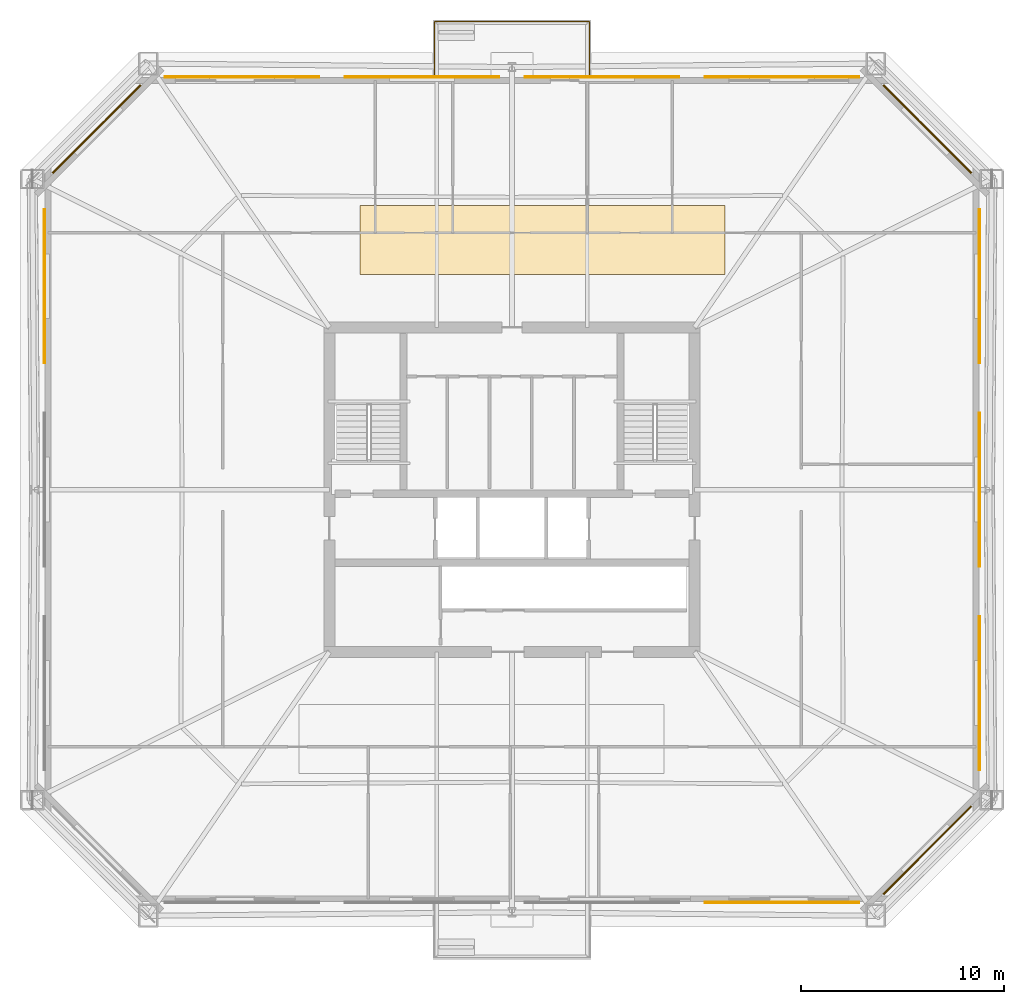
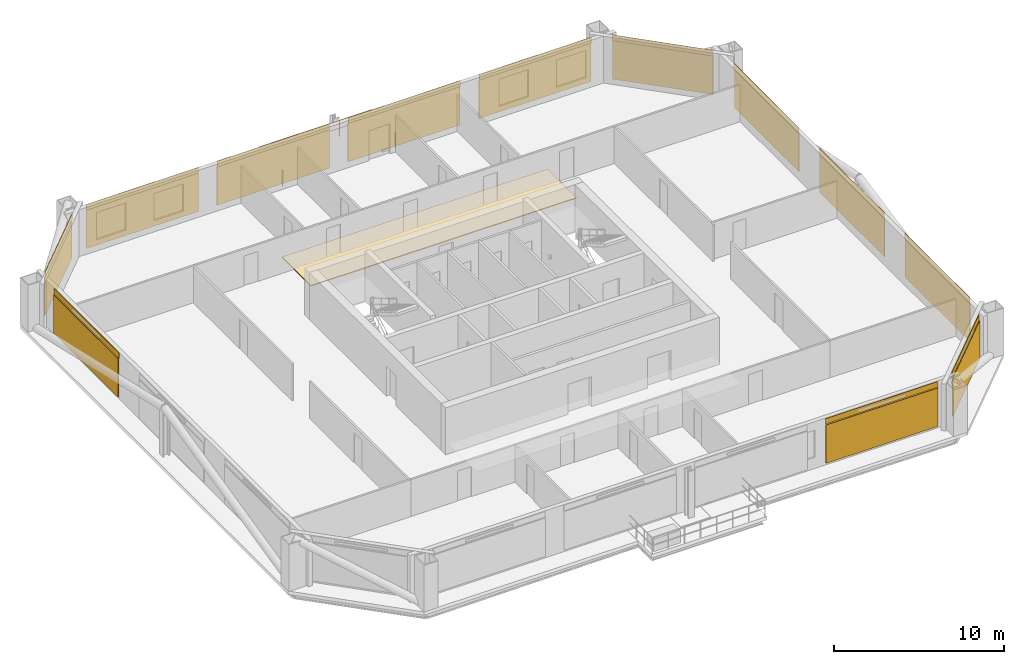
# One storey, part 7 of 7: 13 coverings, 12 shading devices, 1 railing.
"""IFC4 building model written with IfcOpenShell, lengths in metres."""

import ifcopenshell
import ifcopenshell.guid

model = None  # the IFC model being written
_history = None  # IfcOwnerHistory: only IFC2X3 demands one
_inside = {}  # id of a spatial element -> (the spatial element, [elements in it])
_under = {}  # id of a project, library or spatial element -> (it, [spatial elements below it])
_declared = {}  # id of a project -> (the project, [libraries it declares])
_typed = {}  # id of a type object -> (the type object, [elements of that type])
_made_of = {}  # id of a material, layer set ... -> (it, [elements and type objects made of it])


def new_model(schema):
    """Start an empty IFC model of exactly this schema.

    Asked for "IFC4X3", IfcOpenShell would pick the latest addendum, in which some entities
    have other attributes; the version numbers below select the first issue.
    IFC2X3 requires an IfcOwnerHistory on every rooted entity: one is made here for all.
    """
    global model, _history
    if schema == "IFC4X3":
        model = ifcopenshell.file(schema_version=(4, 3, 0, 0))
    else:
        model = ifcopenshell.file(schema=schema)
    _inside.clear()
    _under.clear()
    _declared.clear()
    _typed.clear()
    _made_of.clear()
    _history = None
    if model.schema == "IFC2X3":
        org = make("IfcOrganization", Name="unknown")
        user = make(
            "IfcPersonAndOrganization",
            ThePerson=make("IfcPerson", FamilyName="unknown"),
            TheOrganization=org,
        )
        app = make(
            "IfcApplication",
            ApplicationDeveloper=org,
            Version="unknown",
            ApplicationFullName="unknown",
            ApplicationIdentifier="unknown",
        )
        _history = make(
            "IfcOwnerHistory",
            OwningUser=user,
            OwningApplication=app,
            ChangeAction="ADDED",
            CreationDate=0,
        )
    return model


def make(cls, **values):
    """One entity of the class cls with the attributes given. An attribute that is None is left unset."""
    return model.create_entity(
        cls, **{name: value for name, value in values.items() if value is not None}
    )


def rooted(cls, **values):
    """An entity with a GlobalId (a new one), such as an element, a storey or a relation."""
    return make(cls, GlobalId=ifcopenshell.guid.new(), OwnerHistory=_history, **values)


def si_unit(unit_type, name, prefix=None):
    """IfcSIUnit, for example si_unit("LENGTHUNIT", "METRE", prefix="MILLI")."""
    return make("IfcSIUnit", UnitType=unit_type, Prefix=prefix, Name=name)


def assignment(units):
    """IfcUnitAssignment: the units of a project."""
    return None if units is None else make("IfcUnitAssignment", Units=units)


def point(xyz):
    """IfcCartesianPoint."""
    return None if xyz is None else make("IfcCartesianPoint", Coordinates=xyz)


def direction(xyz):
    """IfcDirection."""
    return None if xyz is None else make("IfcDirection", DirectionRatios=xyz)


def frame(location, z_axis=None, x_axis=None):
    """IfcAxis2Placement3D, a coordinate frame: its origin and axes. An axis left out is left unset."""
    return make(
        "IfcAxis2Placement3D",
        Location=point(location),
        Axis=direction(z_axis),
        RefDirection=direction(x_axis),
    )


def frame_2d(location, x_axis=None):
    """IfcAxis2Placement2D, a coordinate frame in the plane: its origin and x axis."""
    return make(
        "IfcAxis2Placement2D", Location=point(location), RefDirection=direction(x_axis)
    )


def origin():
    """The frame at (0, 0, 0) with its axes left unset."""
    return frame((0.0, 0.0, 0.0))


def origin_2d():
    """The frame at (0, 0) in the plane with its x axis left unset."""
    return frame_2d((0.0, 0.0))


def place(relative_to, where):
    """IfcLocalPlacement: puts the frame where relative to a parent placement (None: the world)."""
    return make(
        "IfcLocalPlacement", PlacementRelTo=relative_to, RelativePlacement=where
    )


def context(
    kind, dimensions, precision=None, world=None, true_north=None, identifier=None
):
    """IfcGeometricRepresentationContext, for example the 3D "Model" context."""
    return make(
        "IfcGeometricRepresentationContext",
        ContextIdentifier=identifier,
        ContextType=kind,
        CoordinateSpaceDimension=dimensions,
        Precision=precision,
        WorldCoordinateSystem=world,
        TrueNorth=true_north,
    )


def subcontext(parent, identifier, kind, view, scale=None):
    """IfcGeometricRepresentationSubContext, for example "Body" below "Model"."""
    return make(
        "IfcGeometricRepresentationSubContext",
        ContextIdentifier=identifier,
        ContextType=kind,
        ParentContext=parent,
        TargetScale=scale,
        TargetView=view,
    )


def project(units=None, contexts=None):
    """IfcProject with its units and contexts."""
    return rooted(
        "IfcProject",
        Name="project",
        RepresentationContexts=contexts,
        UnitsInContext=assignment(units),
    )


def spatial(cls, under=None, at=None, **own):
    """A site, building, storey or space (cls), placed at a placement, below another one or the project."""
    s = rooted(cls, ObjectPlacement=at, **own)
    if under is not None:
        _under.setdefault(under.id(), (under, []))[1].append(s)
    return s


def polyline(points):
    """IfcPolyline through the points."""
    return make("IfcPolyline", Points=[point(p) for p in points])


def profile(cls, at=None, kind="AREA", **sizes):
    """A parametric profile (cls). Its sizes go by their IFC names, for example OverallWidth=200.0."""
    return make(cls, ProfileType=kind, Position=at, **sizes)


def rectangle(**sizes):
    """IfcRectangleProfileDef."""
    return profile("IfcRectangleProfileDef", **sizes)


def circle(**sizes):
    """IfcCircleProfileDef."""
    return profile("IfcCircleProfileDef", **sizes)


def outline(outer, holes=None, kind="AREA"):
    """IfcArbitraryClosedProfileDef: a profile drawn as a closed curve; with holes, ...WithVoids."""
    if holes is None:
        return make("IfcArbitraryClosedProfileDef", ProfileType=kind, OuterCurve=outer)
    return make(
        "IfcArbitraryProfileDefWithVoids",
        ProfileType=kind,
        OuterCurve=outer,
        InnerCurves=holes,
    )


def extrude(swept, where, along, depth):
    """IfcExtrudedAreaSolid: the profile swept, set in the frame where, extruded along a direction by depth."""
    return make(
        "IfcExtrudedAreaSolid",
        SweptArea=swept,
        Position=where,
        ExtrudedDirection=direction(along),
        Depth=depth,
    )


def shape(context_of_items, identifier, shape_type, items):
    """IfcShapeRepresentation: the items that make up one representation, for example the "Body"."""
    return make(
        "IfcShapeRepresentation",
        ContextOfItems=context_of_items,
        RepresentationIdentifier=identifier,
        RepresentationType=shape_type,
        Items=items,
    )


def material(Name=None, Category=None):
    """IfcMaterial."""
    return make("IfcMaterial", Name=Name, Category=Category)


def layer(
    of_material, thickness, ventilated=None, Name=None, Category=None, Priority=None
):
    """IfcMaterialLayer: one layer of a wall or slab, of a material (None: an air gap)."""
    return make(
        "IfcMaterialLayer",
        Material=of_material,
        LayerThickness=thickness,
        IsVentilated=ventilated,
        Name=Name,
        Category=Category,
        Priority=Priority,
    )


def layer_set(layers, Name=None):
    """IfcMaterialLayerSet."""
    return make("IfcMaterialLayerSet", MaterialLayers=layers, LayerSetName=Name)


def made_of(thing, what):
    """Note that an element or type object is made of a material, layer set ...; save() writes the relation."""
    if what is not None:
        _made_of.setdefault(what.id(), (what, []))[1].append(thing)
    return thing


def type_object(cls, material=None, **own):
    """A type object (cls), such as IfcWallType, which elements share."""
    return made_of(rooted(cls, **own), material)


def element(
    cls,
    number,
    at=None,
    inside=None,
    cuts=None,
    type_object=None,
    material=None,
    context=None,
    identifier="Body",
    shape_type=None,
    held_by="IfcProductDefinitionShape",
    body=None,
    shapes=None,
    **own,
):
    """One element of the class cls, such as IfcWall. Its Tag is "e" and its number.

    at: its placement. inside: the storey or other place that contains it. cuts: it is an
    opening in that element (IfcRelVoidsElement). A single representation is given by context,
    identifier, shape_type and body (its items); several are given by shapes. held_by: the class
    of the entity that holds the representations. save() writes the other relations.
    """
    e = rooted(cls, Tag="e%d" % number, ObjectPlacement=at, **own)
    if body is not None:
        shapes = [shape(context, identifier, shape_type, body)]
    if shapes is not None:
        e.Representation = make(held_by, Representations=shapes)
    if inside is not None:
        _inside.setdefault(inside.id(), (inside, []))[1].append(e)
    if cuts is not None:
        rooted(
            "IfcRelVoidsElement", RelatingBuildingElement=cuts, RelatedOpeningElement=e
        )
    if type_object is not None:
        _typed.setdefault(type_object.id(), (type_object, []))[1].append(e)
    return made_of(e, material)


def aggregate(whole, parts):
    """IfcRelAggregates: a whole, such as a stair, and the parts it consists of."""
    return rooted("IfcRelAggregates", RelatingObject=whole, RelatedObjects=parts)


def save(model, path):
    """Write the relations noted so far, then the file.

    IfcRelAggregates (storeys below a building ...), IfcRelContainedInSpatialStructure (elements
    in a storey), IfcRelDefinesByType, IfcRelAssociatesMaterial and IfcRelDeclares: one each for
    every whole, place, type object, material and project.
    """
    for whole, parts in _under.values():
        aggregate(whole, parts)
    for where, things in _inside.values():
        rooted(
            "IfcRelContainedInSpatialStructure",
            RelatedElements=things,
            RelatingStructure=where,
        )
    for kind, things in _typed.values():
        rooted("IfcRelDefinesByType", RelatedObjects=things, RelatingType=kind)
    for what, things in _made_of.values():
        rooted("IfcRelAssociatesMaterial", RelatedObjects=things, RelatingMaterial=what)
    for by, libraries in _declared.values():
        rooted("IfcRelDeclares", RelatingContext=by, RelatedDefinitions=libraries)
    model.write(path)


model = new_model("IFC4")

# Units and contexts
model_context = context("Model", 3, precision=1e-05, world=origin(), true_north=direction((0.0, 1.0)))
body_context = subcontext(model_context, "Body", "Model", "MODEL_VIEW")
ifc_project = project(units=[si_unit("LENGTHUNIT", "METRE"), si_unit("AREAUNIT", "SQUARE_METRE"), si_unit("VOLUMEUNIT", "CUBIC_METRE"), si_unit("PLANEANGLEUNIT", "RADIAN"), si_unit("MASSUNIT", "GRAM", prefix="KILO")], contexts=[model_context])

# Site, building, storey
site_placement = place(None, origin())
site = spatial("IfcSite", under=ifc_project, at=site_placement, CompositionType="ELEMENT")
building_placement = place(site_placement, origin())
building = spatial("IfcBuilding", under=site, at=building_placement, Name="Caelvoria Tower", CompositionType="ELEMENT")
storey_placement = place(building_placement, frame((0.0, 0.0, 106.0)))
storey = spatial("IfcBuildingStorey", under=building, at=storey_placement, Name="L27", CompositionType="ELEMENT", Elevation=106.0)

# Railing
ifc_material_1 = material(Name="Bronze Anodised Aluminium and Stainless Steel", Category="steel")
railing_type = type_object("IfcRailingType", Name="Exterior Terrace and Balcony Guardrail 1150", PredefinedType="GUARDRAIL", material=ifc_material_1)
railing_placement = place(storey_placement, frame((42.179931640625, 52.31005859375, 0.0)))
element("IfcRailing", 1, at=railing_placement, inside=storey, type_object=railing_type, Name="Tree Balcony Guardrail TB-L27-N", PredefinedType="GUARDRAIL", context=body_context, shape_type="SweptSolid", body=[
    extrude(circle(Radius=0.02392578125, at=origin_2d()), frame((0.0, 0.0, 1.1259765625), z_axis=(0.0, 1.0, 0.0), x_axis=(-1.0, 0.0, 0.0)), (0.0, 0.0, 1.0), 2.760009765625),
    extrude(circle(Radius=0.02392578125, at=origin_2d()), frame((0.0, 0.0, 0.574951171875), z_axis=(0.0, 1.0, 0.0), x_axis=(-1.0, 0.0, 0.0)), (0.0, 0.0, 1.0), 2.760009765625),
    extrude(circle(Radius=0.02392578125, at=origin_2d()), frame((0.0, 2.760009765625, 1.1259765625), z_axis=(1.0, 0.0, 0.0), x_axis=(0.0, 1.0, 0.0)), (0.0, 0.0, 1.0), 7.64013671875),
    extrude(circle(Radius=0.02392578125, at=origin_2d()), frame((0.0, 2.760009765625, 0.574951171875), z_axis=(1.0, 0.0, 0.0), x_axis=(0.0, 1.0, 0.0)), (0.0, 0.0, 1.0), 7.64013671875),
    extrude(circle(Radius=0.02392578125, at=origin_2d()), frame((7.64013671875, 2.760009765625, 1.1259765625), z_axis=(0.0, -1.0, 0.0), x_axis=(1.0, 0.0, 0.0)), (0.0, 0.0, 1.0), 2.760009765625),
    extrude(circle(Radius=0.02392578125, at=origin_2d()), frame((7.64013671875, 2.760009765625, 0.574951171875), z_axis=(0.0, -1.0, 0.0), x_axis=(1.0, 0.0, 0.0)), (0.0, 0.0, 1.0), 2.760009765625),
    extrude(circle(Radius=0.02099609375, at=origin_2d()), origin(), (0.0, 0.0, 1.0), 1.101806640625),
    extrude(circle(Radius=0.02099609375, at=origin_2d()), frame((0.0, 0.919921875, 0.0)), (0.0, 0.0, 1.0), 1.101806640625),
    extrude(circle(Radius=0.02099609375, at=origin_2d()), frame((0.0, 1.840087890625, 0.0)), (0.0, 0.0, 1.0), 1.101806640625),
    extrude(circle(Radius=0.02099609375, at=origin_2d()), frame((0.0, 2.760009765625, 0.0)), (0.0, 0.0, 1.0), 1.101806640625),
    extrude(circle(Radius=0.02099609375, at=origin_2d()), frame((1.091552734375, 2.760009765625, 0.0)), (0.0, 0.0, 1.0), 1.101806640625),
    extrude(circle(Radius=0.02099609375, at=origin_2d()), frame((2.182861328125, 2.760009765625, 0.0)), (0.0, 0.0, 1.0), 1.101806640625),
    extrude(circle(Radius=0.02099609375, at=origin_2d()), frame((3.2744140625, 2.760009765625, 0.0)), (0.0, 0.0, 1.0), 1.101806640625),
    extrude(circle(Radius=0.02099609375, at=origin_2d()), frame((4.36572265625, 2.760009765625, 0.0)), (0.0, 0.0, 1.0), 1.101806640625),
    extrude(circle(Radius=0.02099609375, at=origin_2d()), frame((5.457275390625, 2.760009765625, 0.0)), (0.0, 0.0, 1.0), 1.101806640625),
    extrude(circle(Radius=0.02099609375, at=origin_2d()), frame((6.548583984375, 2.760009765625, 0.0)), (0.0, 0.0, 1.0), 1.101806640625),
    extrude(circle(Radius=0.02099609375, at=origin_2d()), frame((7.64013671875, 2.760009765625, 0.0)), (0.0, 0.0, 1.0), 1.101806640625),
    extrude(circle(Radius=0.02099609375, at=origin_2d()), frame((7.64013671875, 1.840087890625, 0.0)), (0.0, 0.0, 1.0), 1.101806640625),
    extrude(circle(Radius=0.02099609375, at=origin_2d()), frame((7.64013671875, 0.919921875, 0.0)), (0.0, 0.0, 1.0), 1.101806640625),
    extrude(circle(Radius=0.02099609375, at=origin_2d()), frame((7.64013671875, 0.0, 0.0)), (0.0, 0.0, 1.0), 1.101806640625),
])

# Coverings
ifc_material_2 = material(Name="Perforated Architectural Bronze Cladding Screen", Category="bronze")
ifc_layer_1 = layer(ifc_material_2, 0.0400390625, Name="Perforated Architectural Bronze Cladding Screen")
ifc_layer_set_1 = layer_set([ifc_layer_1], Name="Perforated Bronze Louvre Cladding Band 40 - Perforated Architectural Bronze Cladding Screen")
covering_type_1 = type_object("IfcCoveringType", Name="Perforated Bronze Louvre Cladding Band 40", PredefinedType="CLADDING", material=ifc_layer_set_1)
covering_1_placement = place(storey_placement, frame((59.304931640625, 11.677978515625, 2.93994140625), z_axis=(0.0, 0.0, 1.0), x_axis=(1.0, 0.0, 0.0)))
element("IfcCovering", 2, at=covering_1_placement, inside=storey, type_object=covering_type_1, Name="Perforated Bronze Screen Band L27-E0-03", PredefinedType="CLADDING", context=body_context, shape_type="SweptSolid", body=[
    extrude(rectangle(XDim=7.60009765625, YDim=0.0400390625, at=origin_2d()), origin(), (0.0, 0.0, 1.0), 0.39990234375),
])
covering_2_placement = place(storey_placement, frame((66.456787109375, 14.243408203125, 2.93994140625), z_axis=(0.0, 0.0, 1.0), x_axis=(0.707106781187, 0.707106781187, 0.0)))
element("IfcCovering", 3, at=covering_2_placement, inside=storey, type_object=covering_type_1, Name="Perforated Bronze Screen Band L27-E1-00", PredefinedType="CLADDING", context=body_context, shape_type="SweptSolid", body=[
    extrude(rectangle(XDim=6.118896484375, YDim=0.0400390625, at=origin_2d()), origin(), (0.0, 0.0, 1.0), 0.39990234375),
])
for number, where, z_axis, x_axis, name in (
    (4, (69.02197265625, 21.973388671875, 2.93994140625), (0.0, 0.0, 1.0), (0.0, 1.0, 0.0), "Perforated Bronze Screen Band L27-E2-00"),
    (5, (69.02197265625, 32.0, 2.93994140625), (0.0, 0.0, 1.0), (0.0, 1.0, 0.0), "Perforated Bronze Screen Band L27-E2-01"),
    (6, (69.02197265625, 42.026611328125, 2.93994140625), (0.0, 0.0, 1.0), (0.0, 1.0, 0.0), "Perforated Bronze Screen Band L27-E2-02"),
):
    element("IfcCovering", number, at=place(storey_placement, frame(where, z_axis=z_axis, x_axis=x_axis)), inside=storey, type_object=covering_type_1, Name=name, PredefinedType="CLADDING", context=body_context, shape_type="SweptSolid", body=[
        extrude(rectangle(XDim=7.60009765625, YDim=0.0400390625, at=origin_2d()), origin(), (0.0, 0.0, 1.0), 0.39990234375),
    ])
covering_3_placement = place(storey_placement, frame((66.456787109375, 49.756591796875, 2.93994140625), z_axis=(0.0, 0.0, 1.0), x_axis=(-0.707106781187, 0.707106781187, 0.0)))
element("IfcCovering", 7, at=covering_3_placement, inside=storey, type_object=covering_type_1, Name="Perforated Bronze Screen Band L27-E3-00", PredefinedType="CLADDING", context=body_context, shape_type="SweptSolid", body=[
    extrude(rectangle(XDim=6.118896484375, YDim=0.0400390625, at=origin_2d()), origin(), (0.0, 0.0, 1.0), 0.39990234375),
])
for number, where, z_axis, x_axis, name in (
    (8, (59.304931640625, 52.322021484375, 2.93994140625), (0.0, 0.0, 1.0), (-1.0, 0.0, 0.0), "Perforated Bronze Screen Band L27-E4-00"),
    (9, (50.43505859375, 52.322021484375, 2.93994140625), (0.0, 0.0, 1.0), (-1.0, 0.0, 0.0), "Perforated Bronze Screen Band L27-E4-01"),
    (10, (41.56494140625, 52.322021484375, 2.93994140625), (0.0, 0.0, 1.0), (-1.0, 0.0, 0.0), "Perforated Bronze Screen Band L27-E4-02"),
    (11, (32.695068359375, 52.322021484375, 2.93994140625), (0.0, 0.0, 1.0), (-1.0, 0.0, 0.0), "Perforated Bronze Screen Band L27-E4-03"),
):
    element("IfcCovering", number, at=place(storey_placement, frame(where, z_axis=z_axis, x_axis=x_axis)), inside=storey, type_object=covering_type_1, Name=name, PredefinedType="CLADDING", context=body_context, shape_type="SweptSolid", body=[
        extrude(rectangle(XDim=7.60009765625, YDim=0.0400390625, at=origin_2d()), origin(), (0.0, 0.0, 1.0), 0.39990234375),
    ])
covering_4_placement = place(storey_placement, frame((25.543212890625, 49.756591796875, 2.93994140625), z_axis=(0.0, 0.0, 1.0), x_axis=(-0.707106781187, -0.707106781187, 0.0)))
element("IfcCovering", 12, at=covering_4_placement, inside=storey, type_object=covering_type_1, Name="Perforated Bronze Screen Band L27-E5-00", PredefinedType="CLADDING", context=body_context, shape_type="SweptSolid", body=[
    extrude(rectangle(XDim=6.118896484375, YDim=0.0400390625, at=origin_2d()), origin(), (0.0, 0.0, 1.0), 0.39990234375),
])
covering_5_placement = place(storey_placement, frame((22.97802734375, 42.026611328125, 2.93994140625), z_axis=(0.0, 0.0, 1.0), x_axis=(0.0, -1.0, 0.0)))
element("IfcCovering", 13, at=covering_5_placement, inside=storey, type_object=covering_type_1, Name="Perforated Bronze Screen Band L27-E6-00", PredefinedType="CLADDING", context=body_context, shape_type="SweptSolid", body=[
    extrude(rectangle(XDim=7.60009765625, YDim=0.0400390625, at=origin_2d()), origin(), (0.0, 0.0, 1.0), 0.39990234375),
])

# Shading devices
ifc_material_3 = material(Name="Perforated Architectural Bronze Alloy Panel", Category="bronze")
ifc_layer_2 = layer(ifc_material_3, 0.044921875, Name="Perforated Architectural Bronze Alloy Panel")
ifc_layer_set_2 = layer_set([ifc_layer_2], Name="Perforated Bronze Solar Screen Panel SCREEN - Perforated Architectural Bronze Alloy Panel")
shading_device_type = type_object("IfcShadingDeviceType", Name="Perforated Bronze Solar Screen Panel SCREEN", PredefinedType="USERDEFINED", material=ifc_layer_set_2)
shading_device_1_placement = place(storey_placement, frame((59.304931640625, 11.635009765625, 0.159912109375), z_axis=(0.0, 0.0, 1.0), x_axis=(1.0, 0.0, 0.0)))
element("IfcShadingDevice", 14, at=shading_device_1_placement, inside=storey, type_object=shading_device_type, Name="Perforated Bronze Solar Screen L27-E0-03", ObjectType="SCREEN", PredefinedType="USERDEFINED", context=body_context, shape_type="SweptSolid", body=[
    extrude(rectangle(XDim=7.60009765625, YDim=0.044921875, at=origin_2d()), origin(), (0.0, 0.0, 1.0), 2.75),
])
shading_device_2_placement = place(storey_placement, frame((66.487060546875, 14.212890625, 0.159912109375), z_axis=(0.0, 0.0, 1.0), x_axis=(0.707106781187, 0.707106781187, 0.0)))
element("IfcShadingDevice", 15, at=shading_device_2_placement, inside=storey, type_object=shading_device_type, Name="Perforated Bronze Solar Screen L27-E1-00", ObjectType="SCREEN", PredefinedType="USERDEFINED", context=body_context, shape_type="SweptSolid", body=[
    extrude(rectangle(XDim=6.118896484375, YDim=0.044921875, at=origin_2d()), origin(), (0.0, 0.0, 1.0), 2.75),
])
for number, where, z_axis, x_axis, name in (
    (16, (69.06494140625, 21.973388671875, 0.159912109375), (0.0, 0.0, 1.0), (0.0, 1.0, 0.0), "Perforated Bronze Solar Screen L27-E2-00"),
    (17, (69.06494140625, 32.0, 0.159912109375), (0.0, 0.0, 1.0), (0.0, 1.0, 0.0), "Perforated Bronze Solar Screen L27-E2-01"),
    (18, (69.06494140625, 42.026611328125, 0.159912109375), (0.0, 0.0, 1.0), (0.0, 1.0, 0.0), "Perforated Bronze Solar Screen L27-E2-02"),
):
    element("IfcShadingDevice", number, at=place(storey_placement, frame(where, z_axis=z_axis, x_axis=x_axis)), inside=storey, type_object=shading_device_type, Name=name, ObjectType="SCREEN", PredefinedType="USERDEFINED", context=body_context, shape_type="SweptSolid", body=[
        extrude(rectangle(XDim=7.60009765625, YDim=0.044921875, at=origin_2d()), origin(), (0.0, 0.0, 1.0), 2.75),
    ])
shading_device_3_placement = place(storey_placement, frame((66.487060546875, 49.787109375, 0.159912109375), z_axis=(0.0, 0.0, 1.0), x_axis=(-0.707106781187, 0.707106781187, 0.0)))
element("IfcShadingDevice", 19, at=shading_device_3_placement, inside=storey, type_object=shading_device_type, Name="Perforated Bronze Solar Screen L27-E3-00", ObjectType="SCREEN", PredefinedType="USERDEFINED", context=body_context, shape_type="SweptSolid", body=[
    extrude(rectangle(XDim=6.118896484375, YDim=0.044921875, at=origin_2d()), origin(), (0.0, 0.0, 1.0), 2.75),
])
for number, where, z_axis, x_axis, name in (
    (20, (59.304931640625, 52.364990234375, 0.159912109375), (0.0, 0.0, 1.0), (-1.0, 0.0, 0.0), "Perforated Bronze Solar Screen L27-E4-00"),
    (21, (50.43505859375, 52.364990234375, 0.159912109375), (0.0, 0.0, 1.0), (-1.0, 0.0, 0.0), "Perforated Bronze Solar Screen L27-E4-01"),
    (22, (41.56494140625, 52.364990234375, 0.159912109375), (0.0, 0.0, 1.0), (-1.0, 0.0, 0.0), "Perforated Bronze Solar Screen L27-E4-02"),
    (23, (32.695068359375, 52.364990234375, 0.159912109375), (0.0, 0.0, 1.0), (-1.0, 0.0, 0.0), "Perforated Bronze Solar Screen L27-E4-03"),
):
    element("IfcShadingDevice", number, at=place(storey_placement, frame(where, z_axis=z_axis, x_axis=x_axis)), inside=storey, type_object=shading_device_type, Name=name, ObjectType="SCREEN", PredefinedType="USERDEFINED", context=body_context, shape_type="SweptSolid", body=[
        extrude(rectangle(XDim=7.60009765625, YDim=0.044921875, at=origin_2d()), origin(), (0.0, 0.0, 1.0), 2.75),
    ])
shading_device_4_placement = place(storey_placement, frame((25.512939453125, 49.787109375, 0.159912109375), z_axis=(0.0, 0.0, 1.0), x_axis=(-0.707106781187, -0.707106781187, 0.0)))
element("IfcShadingDevice", 24, at=shading_device_4_placement, inside=storey, type_object=shading_device_type, Name="Perforated Bronze Solar Screen L27-E5-00", ObjectType="SCREEN", PredefinedType="USERDEFINED", context=body_context, shape_type="SweptSolid", body=[
    extrude(rectangle(XDim=6.118896484375, YDim=0.044921875, at=origin_2d()), origin(), (0.0, 0.0, 1.0), 2.75),
])
shading_device_5_placement = place(storey_placement, frame((22.93505859375, 42.026611328125, 0.159912109375), z_axis=(0.0, 0.0, 1.0), x_axis=(0.0, -1.0, 0.0)))
element("IfcShadingDevice", 25, at=shading_device_5_placement, inside=storey, type_object=shading_device_type, Name="Perforated Bronze Solar Screen L27-E6-00", ObjectType="SCREEN", PredefinedType="USERDEFINED", context=body_context, shape_type="SweptSolid", body=[
    extrude(rectangle(XDim=7.60009765625, YDim=0.044921875, at=origin_2d()), origin(), (0.0, 0.0, 1.0), 2.75),
])

# Covering
ifc_material_4 = material(Name="Calcium-Sulphate Raised Floor Tile", Category="gypsum")
ifc_layer_3 = layer(ifc_material_4, 0.06005859375, Name="Calcium-Sulphate Raised Floor Tile")
ifc_layer_set_3 = layer_set([ifc_layer_3], Name="Raised Access Office Floor System 120 - Calcium-Sulphate Raised Floor Tile")
covering_type_2 = type_object("IfcCoveringType", Name="Raised Access Office Floor System 120", PredefinedType="FLOORING", material=ifc_layer_set_3)
covering_6_placement = place(storey_placement, origin())
element("IfcCovering", 26, at=covering_6_placement, inside=storey, type_object=covering_type_2, Name="Raised Access Flooring L27", PredefinedType="FLOORING", context=body_context, shape_type="SweptSolid", body=[
    extrude(outline(polyline([(38.5, 42.60009765625), (56.5, 42.60009765625), (56.5, 46.0), (38.5, 46.0), (38.5, 42.60009765625)])), origin(), (0.0, 0.0, 1.0), 0.06005859375),
])

save(model, "model.ifc")
